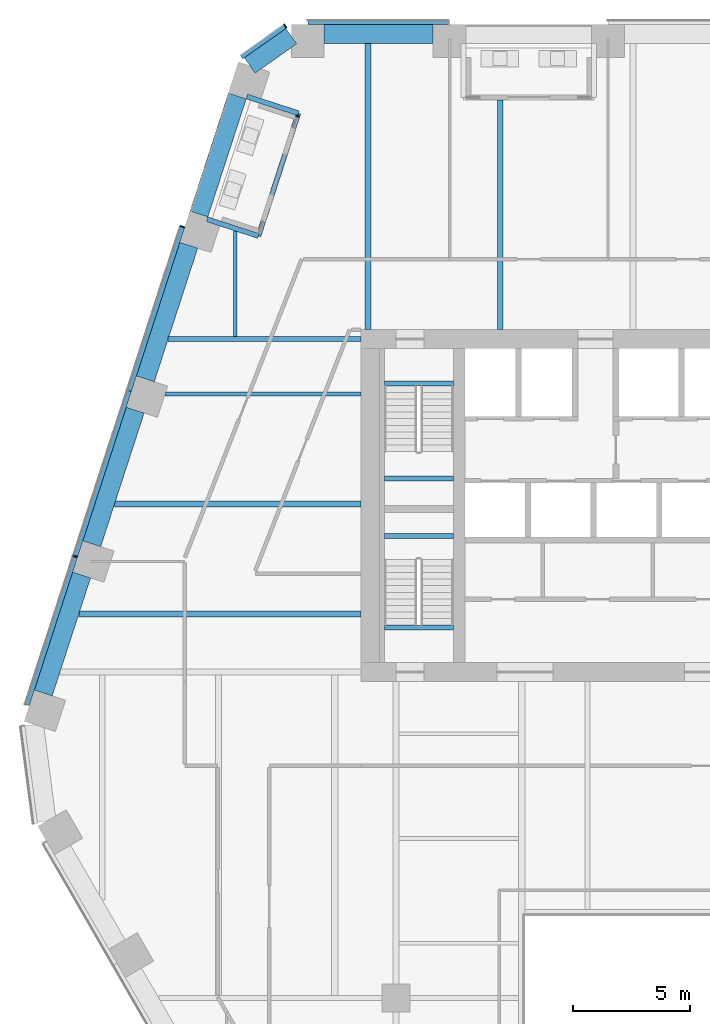
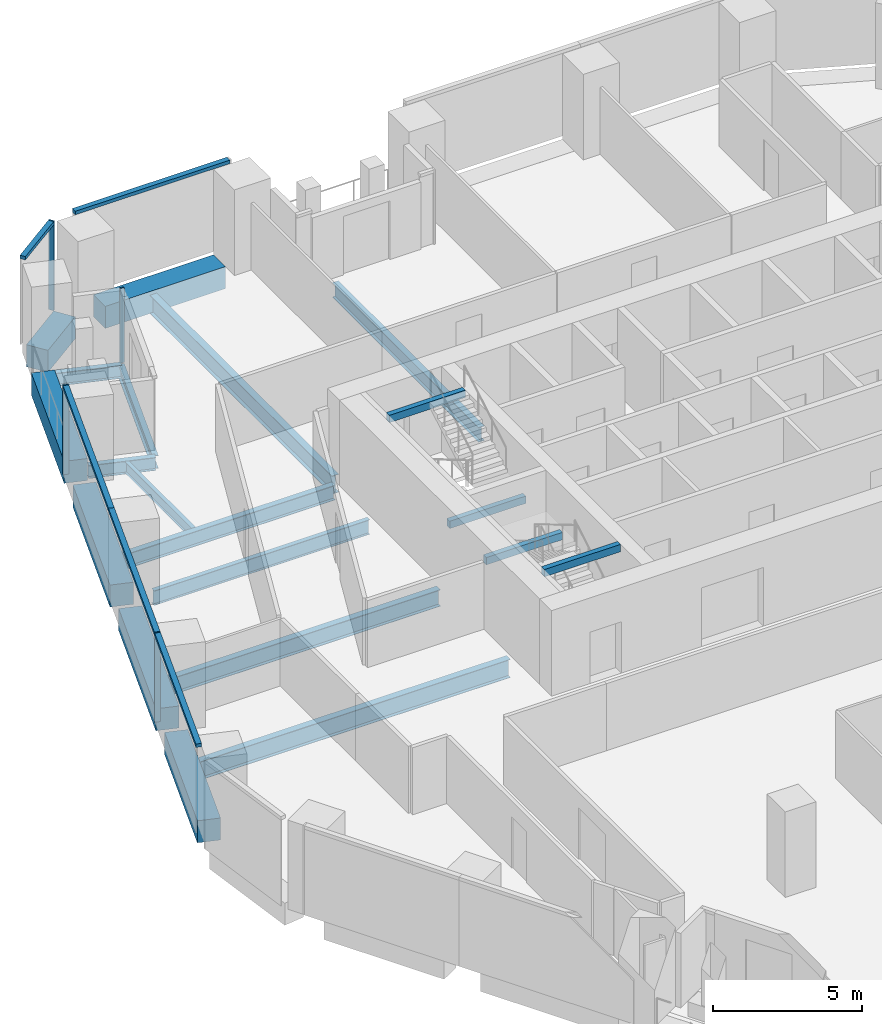
# One storey, part 8 of 26: 20 beams, 9 members, 4 elements without a shape of their own.
"""IFC4 building model written with IfcOpenShell, lengths in metres."""

from ifc_helpers import new_model, si_unit, direction, frame, origin, origin_2d, place, context, subcontext, project, spatial, rectangle, i_section, extrude, material, layer, layer_set, material_profile, profile_set, type_object, element, aggregate, save


model = new_model("IFC4")

# Units and contexts
model_context = context("Model", 3, precision=1e-05, world=origin(), true_north=direction((0.0, 1.0)))
body_context = subcontext(model_context, "Body", "Model", "MODEL_VIEW")
ifc_project = project(units=[si_unit("LENGTHUNIT", "METRE"), si_unit("AREAUNIT", "SQUARE_METRE"), si_unit("VOLUMEUNIT", "CUBIC_METRE"), si_unit("PLANEANGLEUNIT", "RADIAN"), si_unit("MASSUNIT", "GRAM", prefix="KILO")], contexts=[model_context])

# Site, building, storey
site_placement = place(None, origin())
site = spatial("IfcSite", under=ifc_project, at=site_placement, CompositionType="ELEMENT")
building_placement = place(site_placement, origin())
building = spatial("IfcBuilding", under=site, at=building_placement, Name="Isthmus Gate Tower", CompositionType="ELEMENT")
storey_placement = place(building_placement, frame((0.0, 0.0, 129.800048828125)))
storey = spatial("IfcBuildingStorey", under=building, at=storey_placement, Name="L31", CompositionType="ELEMENT", Elevation=129.800048828125)

# Curtain wall, member
ifc_material_1 = material(Name="Aluminium, pale champagne anodised", Category="aluminium")
ifc_layer_1 = layer(ifc_material_1, 0.199951171875)
ifc_layer_set_1 = layer_set([ifc_layer_1], Name="CW-1 UNITISED CURTAIN WALL 200 DEEP")
curtain_wall_type_1 = type_object("IfcCurtainWallType", Name="CW-1 UNITISED CURTAIN WALL 200 DEEP", PredefinedType="NOTDEFINED", material=ifc_layer_set_1)
curtain_wall_1_placement = place(storey_placement, origin())
curtain_wall_1 = element("IfcCurtainWall", 1, at=curtain_wall_1_placement, inside=storey, type_object=curtain_wall_type_1, Name="CW-1 N-NW L31", PredefinedType="NOTDEFINED")
ifc_material_2 = material(Name="Aluminium, pale champagne anodised", Category="aluminium")
ifc_material_profile_1 = material_profile(ifc_material_2, rectangle(XDim=0.06005859375, YDim=0.199951171875, at=origin_2d()), Name="60x200")
ifc_profile_set_1 = profile_set([ifc_material_profile_1], Name="Aluminium, pale champagne anodised")
member_type_1 = type_object("IfcMemberType", Name="CW-1 MULLION 60 X 200", PredefinedType="MULLION", material=ifc_profile_set_1)
member_1_placement = place(storey_placement, frame((-18.216552734375, 27.943115234375, 0.0), z_axis=(0.0, 0.0, 1.0), x_axis=(-0.81785959165, -0.57541783805, 0.0)))
member_1 = element("IfcMember", 2, at=member_1_placement, type_object=member_type_1, Name="CW-1 mullion", PredefinedType="MULLION", context=body_context, shape_type="SweptSolid", body=[
    extrude(rectangle(XDim=0.06005859375, YDim=0.199951171875, at=origin_2d()), origin(), (0.0, 0.0, 1.0), 3.64990234375),
])

# Curtain wall, members
curtain_wall_2_placement = place(storey_placement, origin())
curtain_wall_2 = element("IfcCurtainWall", 3, at=curtain_wall_2_placement, inside=storey, type_object=curtain_wall_type_1, Name="CW-1 NW L31", PredefinedType="NOTDEFINED")
member_2_placement = place(storey_placement, frame((-22.60302734375, 19.38818359375, 0.0), z_axis=(0.0, 0.0, 1.0), x_axis=(-0.309016994375, -0.951056516295, 0.0)))
member_2 = element("IfcMember", 4, at=member_2_placement, type_object=member_type_1, Name="CW-1 mullion", PredefinedType="MULLION", context=body_context, shape_type="SweptSolid", body=[
    extrude(rectangle(XDim=0.06005859375, YDim=0.199951171875, at=origin_2d()), origin(), (0.0, 0.0, 1.0), 3.64990234375),
])
member_3_placement = place(storey_placement, frame((-27.1708984375, 5.330078125, 0.0), z_axis=(0.0, 0.0, 1.0), x_axis=(-0.309016994375, -0.951056516295, 0.0)))
member_3 = element("IfcMember", 5, at=member_3_placement, type_object=member_type_1, Name="CW-1 mullion", PredefinedType="MULLION", context=body_context, shape_type="SweptSolid", body=[
    extrude(rectangle(XDim=0.06005859375, YDim=0.199951171875, at=origin_2d()), origin(), (0.0, 0.0, 1.0), 3.64990234375),
])

# Curtain wall, member
curtain_wall_3_placement = place(storey_placement, origin())
curtain_wall_3 = element("IfcCurtainWall", 6, at=curtain_wall_3_placement, inside=storey, type_object=curtain_wall_type_1, Name="CW-1 N L31", PredefinedType="NOTDEFINED")
ifc_material_3 = material(Name="Aluminium, pale champagne anodised", Category="aluminium")
ifc_material_profile_2 = material_profile(ifc_material_3, rectangle(XDim=0.199951171875, YDim=0.139892578125, at=origin_2d()), Name="200x140")
ifc_profile_set_2 = profile_set([ifc_material_profile_2], Name="Aluminium, pale champagne anodised")
member_type_2 = type_object("IfcMemberType", Name="CW-1 TRANSOM 200 X 140", PredefinedType="USERDEFINED", material=ifc_profile_set_2)
member_4_placement = place(storey_placement, frame((-11.271728515625, 28.10009765625, 3.579833984375), z_axis=(-1.0, 0.0, 0.0), x_axis=(0.0, -1.0, 0.0)))
member_4 = element("IfcMember", 7, at=member_4_placement, type_object=member_type_2, Name="CW-1 transom", ObjectType="TRANSOM", PredefinedType="USERDEFINED", context=body_context, shape_type="SweptSolid", body=[
    extrude(rectangle(XDim=0.199951171875, YDim=0.139892578125, at=origin_2d()), origin(), (0.0, 0.0, 1.0), 5.990234375),
])
aggregate(curtain_wall_3, [member_4])

# Member
member_5_placement = place(storey_placement, frame((-18.2412109375, 27.92578125, 3.579833984375), z_axis=(-0.817868595604, -0.575405040233, 0.0), x_axis=(0.575405040233, -0.817868595604, 0.0)))
member_5 = element("IfcMember", 8, at=member_5_placement, type_object=member_type_2, Name="CW-1 transom", ObjectType="TRANSOM", PredefinedType="USERDEFINED", context=body_context, shape_type="SweptSolid", body=[
    extrude(rectangle(XDim=0.199951171875, YDim=0.139892578125, at=origin_2d()), origin(), (0.0, 0.0, 1.0), 2.258544921875),
])

aggregate(curtain_wall_1, [member_1, member_5])

member_6_placement = place(storey_placement, frame((-22.6123046875, 19.359619140625, 3.579833984375), z_axis=(-0.309025074527, -0.951053890857, 0.0), x_axis=(0.951053890857, -0.309025074527, 0.0)))
member_6 = element("IfcMember", 9, at=member_6_placement, type_object=member_type_2, Name="CW-1 transom", ObjectType="TRANSOM", PredefinedType="USERDEFINED", context=body_context, shape_type="SweptSolid", body=[
    extrude(rectangle(XDim=0.199951171875, YDim=0.139892578125, at=origin_2d()), origin(), (0.0, 0.0, 1.0), 7.330810546875),
])

member_7_placement = place(storey_placement, frame((-24.877685546875, 12.3876953125, 3.579833984375), z_axis=(-0.309024076379, -0.951054215183, 0.0), x_axis=(0.951054215183, -0.309024076379, 0.0)))
member_7 = element("IfcMember", 10, at=member_7_placement, type_object=member_type_2, Name="CW-1 transom", ObjectType="TRANSOM", PredefinedType="USERDEFINED", context=body_context, shape_type="SweptSolid", body=[
    extrude(rectangle(XDim=0.199951171875, YDim=0.139892578125, at=origin_2d()), origin(), (0.0, 0.0, 1.0), 7.390869140625),
])

member_8_placement = place(storey_placement, frame((-27.18017578125, 5.301513671875, 3.579833984375), z_axis=(-0.309027792969, -0.951053007552, 0.0), x_axis=(0.951053007552, -0.309027792969, 0.0)))
member_8 = element("IfcMember", 11, at=member_8_placement, type_object=member_type_2, Name="CW-1 transom", ObjectType="TRANSOM", PredefinedType="USERDEFINED", context=body_context, shape_type="SweptSolid", body=[
    extrude(rectangle(XDim=0.199951171875, YDim=0.139892578125, at=origin_2d()), origin(), (0.0, 0.0, 1.0), 6.630615234375),
])

aggregate(curtain_wall_2, [member_2, member_6, member_7, member_3, member_8])

# Curtain wall, member
ifc_material_4 = material(Name="Aluminium, pale champagne anodised", Category="aluminium")
ifc_layer_2 = layer(ifc_material_4, 0.14990234375)
ifc_layer_set_2 = layer_set([ifc_layer_2], Name="CW-6 LOGGIA BACK WALL GLAZING 150 DEEP")
curtain_wall_type_2 = type_object("IfcCurtainWallType", Name="CW-6 LOGGIA BACK WALL GLAZING 150 DEEP", PredefinedType="NOTDEFINED", material=ifc_layer_set_2)
curtain_wall_4_placement = place(storey_placement, origin())
curtain_wall_4 = element("IfcCurtainWall", 12, at=curtain_wall_4_placement, inside=storey, type_object=curtain_wall_type_2, Name="CW-6 NW L31", PredefinedType="NOTDEFINED")
ifc_material_5 = material(Name="Aluminium, pale champagne anodised", Category="aluminium")
ifc_material_profile_3 = material_profile(ifc_material_5, rectangle(XDim=0.06005859375, YDim=0.14990234375, at=origin_2d()), Name="60x150")
ifc_profile_set_3 = profile_set([ifc_material_profile_3], Name="Aluminium, pale champagne anodised")
member_type_3 = type_object("IfcMemberType", Name="CW-6 MULLION 60 X 150", PredefinedType="MULLION", material=ifc_profile_set_3)
member_9_placement = place(storey_placement, frame((-17.70849609375, 24.096923828125, 0.0), z_axis=(0.0, 0.0, 1.0), x_axis=(-0.309016994375, -0.951056516295, 0.0)))
member_9 = element("IfcMember", 13, at=member_9_placement, type_object=member_type_3, Name="CW-6 mullion", PredefinedType="MULLION", context=body_context, shape_type="SweptSolid", body=[
    extrude(rectangle(XDim=0.06005859375, YDim=0.14990234375, at=origin_2d()), origin(), (0.0, 0.0, 1.0), 3.050048828125),
])
aggregate(curtain_wall_4, [member_9])

# Beams
ifc_material_6 = material(Name="Concrete f'c 60 MPa", Category="concrete")
ifc_material_profile_4 = material_profile(ifc_material_6, rectangle(XDim=0.800048828125, YDim=0.89990234375, at=origin_2d()), Name="RC 800X900")
ifc_profile_set_4 = profile_set([ifc_material_profile_4], Name="Concrete f'c 60 MPa")
beam_type_1 = type_object("IfcBeamType", Name="RC SPANDREL 800 X 900", PredefinedType="SPANDREL", material=ifc_profile_set_4)
beam_1_placement = place(storey_placement, frame((-28.537353515625, -0.493408203125, -0.449951171875), z_axis=(0.309033901013, 0.951051022829, 0.0), x_axis=(-0.951051022829, 0.309033901013, 0.0)))
element("IfcBeam", 14, at=beam_1_placement, inside=storey, type_object=beam_type_1, Name="str-spandrel-L31-21", PredefinedType="SPANDREL", context=body_context, shape_type="SweptSolid", body=[
    extrude(rectangle(XDim=0.800048828125, YDim=0.89990234375, at=origin_2d()), origin(), (0.0, 0.0, 1.0), 5.290771484375),
])
for number, where, z_axis, x_axis, name in (
    (15, (-26.4697265625, 5.869873046875, -0.449951171875), (0.309029860788, 0.951052335648, 0.0), (-0.951052335648, 0.309029860788, 0.0), "str-spandrel-L31-22"),
    (16, (-24.185791015625, 12.89892578125, -0.449951171875), (0.308992998998, 0.951064312531, 0.0), (-0.951064312531, 0.308992998998, 0.0), "str-spandrel-L31-23"),
):
    element("IfcBeam", number, at=place(storey_placement, frame(where, z_axis=z_axis, x_axis=x_axis)), inside=storey, type_object=beam_type_1, Name=name, PredefinedType="SPANDREL", context=body_context, shape_type="SweptSolid", body=[
        extrude(rectangle(XDim=0.800048828125, YDim=0.89990234375, at=origin_2d()), origin(), (0.0, 0.0, 1.0), 5.99072265625),
    ])
beam_2_placement = place(storey_placement, frame((-21.902099609375, 19.927978515625, -0.449951171875), z_axis=(0.309020339202, 0.951055429489, 0.0), x_axis=(-0.951055429489, 0.309020339202, 0.0)))
element("IfcBeam", 17, at=beam_2_placement, inside=storey, type_object=beam_type_1, Name="str-spandrel-L31-24", PredefinedType="SPANDREL", context=body_context, shape_type="SweptSolid", body=[
    extrude(rectangle(XDim=0.800048828125, YDim=0.89990234375, at=origin_2d()), origin(), (0.0, 0.0, 1.0), 5.291015625),
])
beam_3_placement = place(storey_placement, frame((-19.7392578125, 26.260498046875, -0.449951171875), z_axis=(0.817857331203, 0.575421050882, 0.0), x_axis=(-0.575421050882, 0.817857331203, 0.0)))
element("IfcBeam", 18, at=beam_3_placement, inside=storey, type_object=beam_type_1, Name="str-spandrel-L31-25", PredefinedType="SPANDREL", context=body_context, shape_type="SweptSolid", body=[
    extrude(rectangle(XDim=0.800048828125, YDim=0.89990234375, at=origin_2d()), origin(), (0.0, 0.0, 1.0), 2.173095703125),
])
beam_4_placement = place(storey_placement, frame((-16.56201171875, 27.60009765625, -0.449951171875), z_axis=(1.0, 0.0, 0.0), x_axis=(0.0, 1.0, 0.0)))
element("IfcBeam", 19, at=beam_4_placement, inside=storey, type_object=beam_type_1, Name="str-spandrel-L31-26", PredefinedType="SPANDREL", context=body_context, shape_type="SweptSolid", body=[
    extrude(rectangle(XDim=0.800048828125, YDim=0.89990234375, at=origin_2d()), origin(), (0.0, 0.0, 1.0), 4.650146484375),
])
ifc_material_7 = material(Name="Concrete f'c 40 MPa", Category="concrete")
ifc_material_profile_5 = material_profile(ifc_material_7, rectangle(XDim=0.199951171875, YDim=0.300048828125, at=origin_2d()), Name="STAIR LANDING BEAM RC 200 X 300")
ifc_profile_set_5 = profile_set([ifc_material_profile_5], Name="Concrete f'c 40 MPa")
beam_type_2 = type_object("IfcBeamType", Name="STAIR LANDING BEAM RC 200 X 300", PredefinedType="BEAM", material=ifc_profile_set_5)
for number, where, z_axis, x_axis, name in (
    (20, (-14.0, 8.64990234375, 1.474853515625), (1.0, 0.0, 0.0), (0.0, 1.0, 0.0), "L31 ST1 landing beam 1"),
    (21, (-14.0, 12.7001953125, 3.349853515625), (1.0, 0.0, 0.0), (0.0, 1.0, 0.0), "L31 ST1 floor-edge seat beam"),
    (22, (-14.0, 6.199951171875, 1.474853515625), (1.0, 0.0, 0.0), (0.0, 1.0, 0.0), "L31 ST7 landing beam 1"),
    (23, (-14.0, 2.2998046875, 3.349853515625), (1.0, 0.0, 0.0), (0.0, 1.0, 0.0), "L31 ST7 floor-edge seat beam"),
):
    element("IfcBeam", number, at=place(storey_placement, frame(where, z_axis=z_axis, x_axis=x_axis)), inside=storey, type_object=beam_type_2, Name=name, PredefinedType="BEAM", context=body_context, shape_type="SweptSolid", body=[
        extrude(rectangle(XDim=0.199951171875, YDim=0.300048828125, at=origin_2d()), origin(), (0.0, 0.0, 1.0), 2.949951171875),
    ])
ifc_material_8 = material(Name="Structural steel ASTM A992 Gr 50", Category="steel")
ifc_material_profile_6 = material_profile(ifc_material_8, i_section(OverallWidth=0.15234375, OverallDepth=0.45068359375, WebThickness=0.0078125, FlangeThickness=0.010986328125, at=origin_2d()), Name="W18X35")
ifc_profile_set_6 = profile_set([ifc_material_profile_6], Name="Structural steel ASTM A992 Gr 50")
beam_type_3 = type_object("IfcBeamType", Name="STEEL FLOOR BEAM W18X35", PredefinedType="JOIST", material=ifc_profile_set_6)
beam_5_placement = place(storey_placement, frame((-20.35009765625, 14.71435546875, -0.37548828125), z_axis=(0.0, 1.0, 0.0), x_axis=(-1.0, 0.0, 0.0)))
element("IfcBeam", 24, at=beam_5_placement, inside=storey, type_object=beam_type_3, Name="str-beam-L31-08-00", PredefinedType="JOIST", context=body_context, shape_type="SweptSolid", body=[
    extrude(i_section(OverallWidth=0.15234375, OverallDepth=0.45068359375, WebThickness=0.0078125, FlangeThickness=0.010986328125, at=origin_2d()), origin(), (0.0, 0.0, 1.0), 4.4892578125),
])
ifc_material_9 = material(Name="Structural steel ASTM A992 Gr 50", Category="steel")
ifc_material_profile_7 = material_profile(ifc_material_9, i_section(OverallWidth=0.177734375, OverallDepth=0.60009765625, WebThickness=0.009521484375, FlangeThickness=0.0126953125, at=origin_2d()), Name="W24X55")
ifc_profile_set_7 = profile_set([ifc_material_profile_7], Name="Structural steel ASTM A992 Gr 50")
beam_type_4 = type_object("IfcBeamType", Name="STEEL FLOOR BEAM W24X55", PredefinedType="JOIST", material=ifc_profile_set_7)
beam_6_placement = place(storey_placement, frame((-23.343505859375, 12.25537109375, -0.4501953125), z_axis=(1.0, 0.0, 0.0), x_axis=(0.0, 1.0, 0.0)))
element("IfcBeam", 25, at=beam_6_placement, inside=storey, type_object=beam_type_4, Name="str-beam-L31-02-02", PredefinedType="JOIST", context=body_context, shape_type="SweptSolid", body=[
    extrude(i_section(OverallWidth=0.177734375, OverallDepth=0.60009765625, WebThickness=0.009521484375, FlangeThickness=0.0126953125, at=origin_2d()), origin(), (0.0, 0.0, 1.0), 8.343505859375),
])
ifc_material_10 = material(Name="Structural steel ASTM A992 Gr 50", Category="steel")
ifc_material_profile_8 = material_profile(ifc_material_10, i_section(OverallWidth=0.228515625, OverallDepth=0.603271484375, WebThickness=0.010986328125, FlangeThickness=0.014404296875, at=origin_2d()), Name="W24X68")
ifc_profile_set_8 = profile_set([ifc_material_profile_8], Name="Structural steel ASTM A992 Gr 50")
beam_type_5 = type_object("IfcBeamType", Name="STEEL FLOOR BEAM W24X68", PredefinedType="JOIST", material=ifc_profile_set_8)
beam_7_placement = place(storey_placement, frame((-9.048828125, 15.0, -0.45166015625), z_axis=(0.0, 1.0, 0.0), x_axis=(-1.0, 0.0, 0.0)))
element("IfcBeam", 26, at=beam_7_placement, inside=storey, type_object=beam_type_5, Name="str-beam-L31-08-02", PredefinedType="JOIST", context=body_context, shape_type="SweptSolid", body=[
    extrude(i_section(OverallWidth=0.228515625, OverallDepth=0.603271484375, WebThickness=0.010986328125, FlangeThickness=0.014404296875, at=origin_2d()), origin(), (0.0, 0.0, 1.0), 9.79052734375),
])
ifc_material_11 = material(Name="Structural steel ASTM A992 Gr 50", Category="steel")
ifc_material_profile_9 = material_profile(ifc_material_11, i_section(OverallWidth=0.25390625, OverallDepth=0.679443359375, WebThickness=0.010986328125, FlangeThickness=0.015869140625, at=origin_2d()), Name="W27X84")
ifc_profile_set_9 = profile_set([ifc_material_profile_9], Name="Structural steel ASTM A992 Gr 50")
beam_type_6 = type_object("IfcBeamType", Name="STEEL FLOOR BEAM W27X84", PredefinedType="JOIST", material=ifc_profile_set_9)
beam_8_placement = place(storey_placement, frame((-25.498046875, 7.56591796875, -0.48974609375), z_axis=(1.0, 0.0, 0.0), x_axis=(0.0, 1.0, 0.0)))
element("IfcBeam", 27, at=beam_8_placement, inside=storey, type_object=beam_type_6, Name="str-beam-L31-02-01", PredefinedType="JOIST", context=body_context, shape_type="SweptSolid", body=[
    extrude(i_section(OverallWidth=0.25390625, OverallDepth=0.679443359375, WebThickness=0.010986328125, FlangeThickness=0.015869140625, at=origin_2d()), origin(), (0.0, 0.0, 1.0), 10.498046875),
])
ifc_material_12 = material(Name="Structural steel ASTM A992 Gr 50", Category="steel")
ifc_material_profile_10 = material_profile(ifc_material_12, i_section(OverallWidth=0.263427734375, OverallDepth=0.749267578125, WebThickness=0.0126953125, FlangeThickness=0.015869140625, at=origin_2d()), Name="W30X90")
ifc_profile_set_10 = profile_set([ifc_material_profile_10], Name="Structural steel ASTM A992 Gr 50")
beam_type_7 = type_object("IfcBeamType", Name="STEEL FLOOR BEAM W30X90", PredefinedType="JOIST", material=ifc_profile_set_10)
beam_9_placement = place(storey_placement, frame((-27.021728515625, 2.87646484375, -0.524658203125), z_axis=(1.0, 0.0, 0.0), x_axis=(0.0, 1.0, 0.0)))
element("IfcBeam", 28, at=beam_9_placement, inside=storey, type_object=beam_type_7, Name="str-beam-L31-02-00", PredefinedType="JOIST", context=body_context, shape_type="SweptSolid", body=[
    extrude(i_section(OverallWidth=0.263427734375, OverallDepth=0.749267578125, WebThickness=0.0126953125, FlangeThickness=0.015869140625, at=origin_2d()), origin(), (0.0, 0.0, 1.0), 12.021728515625),
])
beam_10_placement = place(storey_placement, frame((-14.699462890625, 15.0, -0.524658203125), z_axis=(0.0, 1.0, 0.0), x_axis=(-1.0, 0.0, 0.0)))
element("IfcBeam", 29, at=beam_10_placement, inside=storey, type_object=beam_type_7, Name="str-beam-L31-08-01", PredefinedType="JOIST", context=body_context, shape_type="SweptSolid", body=[
    extrude(i_section(OverallWidth=0.263427734375, OverallDepth=0.749267578125, WebThickness=0.0126953125, FlangeThickness=0.015869140625, at=origin_2d()), origin(), (0.0, 0.0, 1.0), 12.199951171875),
])
ifc_material_13 = material(Name="Structural steel ASTM A992 Gr 50", Category="steel")
ifc_material_profile_11 = material_profile(ifc_material_13, i_section(OverallWidth=0.228515625, OverallDepth=0.6064453125, WebThickness=0.010986328125, FlangeThickness=0.017578125, at=origin_2d()), Name="W24X76")
ifc_profile_set_11 = profile_set([ifc_material_profile_11], Name="Structural steel ASTM A992 Gr 50")
beam_type_8 = type_object("IfcBeamType", Name="STEEL GIRDER W24X76", PredefinedType="BEAM", material=ifc_profile_set_11)
beam_11_placement = place(storey_placement, frame((-15.0, 14.60009765625, -0.453369140625), z_axis=(-1.0, 0.0, 0.0), x_axis=(0.0, -1.0, 0.0)))
element("IfcBeam", 30, at=beam_11_placement, inside=storey, type_object=beam_type_8, Name="str-girder-L31-14", PredefinedType="BEAM", context=body_context, shape_type="SweptSolid", body=[
    extrude(i_section(OverallWidth=0.228515625, OverallDepth=0.6064453125, WebThickness=0.010986328125, FlangeThickness=0.017578125, at=origin_2d()), origin(), (0.0, 0.0, 1.0), 8.212646484375),
])
ifc_material_14 = material(Name="Structural steel ASTM A992 Gr 50", Category="steel")
ifc_material_profile_12 = material_profile(ifc_material_14, i_section(OverallWidth=0.20947265625, OverallDepth=0.533447265625, WebThickness=0.009521484375, FlangeThickness=0.015869140625, at=origin_2d()), Name="W21X62")
ifc_profile_set_12 = profile_set([ifc_material_profile_12], Name="Structural steel ASTM A992 Gr 50")
beam_type_9 = type_object("IfcBeamType", Name="STEEL TRIMMER W21X62", PredefinedType="BEAM", material=ifc_profile_set_12)
beam_12_placement = place(storey_placement, frame((-17.662353515625, 24.2236328125, -0.416748046875), z_axis=(-0.309027858251, -0.951052986339, 0.0), x_axis=(0.951052986339, -0.309027858251, 0.0)))
element("IfcBeam", 31, at=beam_12_placement, inside=storey, type_object=beam_type_9, Name="str-loggiatrim-L31-02-B", PredefinedType="BEAM", context=body_context, shape_type="SweptSolid", body=[
    extrude(i_section(OverallWidth=0.20947265625, OverallDepth=0.533447265625, WebThickness=0.009521484375, FlangeThickness=0.015869140625, at=origin_2d()), origin(), (0.0, 0.0, 1.0), 5.500244140625),
])
for number, where, z_axis, x_axis, name in (
    (32, (-19.854248046875, 24.935791015625, -0.416748046875), (0.951060533358, -0.309004630854, 0.0), (0.309004630854, 0.951060533358, 0.0), "str-loggiatrim-L31-02-A"),
    (33, (-21.553955078125, 19.704833984375, -0.416748046875), (0.951060533358, -0.309004630854, 0.0), (0.309004630854, 0.951060533358, 0.0), "str-loggiatrim-L31-02-C"),
):
    element("IfcBeam", number, at=place(storey_placement, frame(where, z_axis=z_axis, x_axis=x_axis)), inside=storey, type_object=beam_type_9, Name=name, PredefinedType="BEAM", context=body_context, shape_type="SweptSolid", body=[
        extrude(i_section(OverallWidth=0.20947265625, OverallDepth=0.533447265625, WebThickness=0.009521484375, FlangeThickness=0.015869140625, at=origin_2d()), origin(), (0.0, 0.0, 1.0), 2.3046875),
    ])

save(model, "model.ifc")
